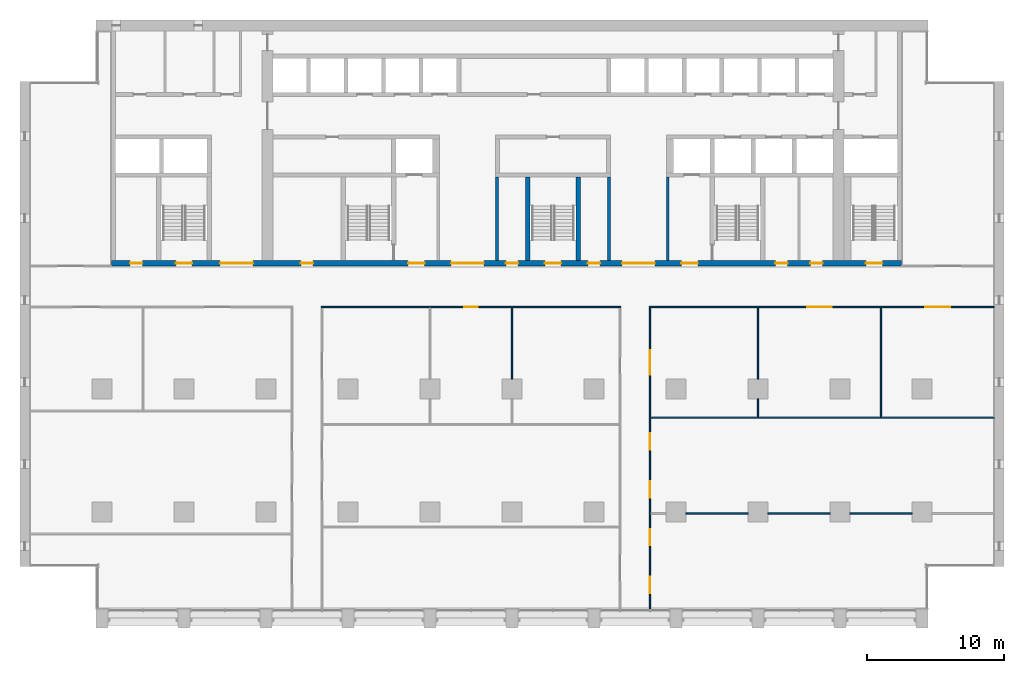
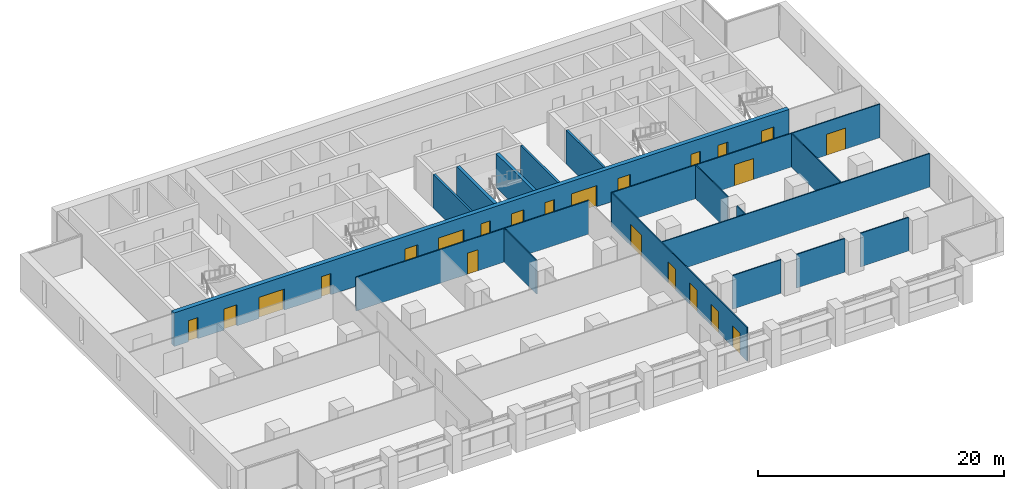
# One storey, part 9 of 17: 22 doors, 17 walls, 22 openings.
"""IFC4 building model written with IfcOpenShell, lengths in metres."""

from ifc_helpers import new_model, si_unit, direction, frame, frame_2d, origin, place, context, subcontext, project, spatial, rectangle, extrude, material, layer, layer_set, type_object, element, fill, save


model = new_model("IFC4")

# Units and contexts
model_context = context("Model", 3, precision=1e-05, world=origin(), true_north=direction((0.0, 1.0)))
body_context = subcontext(model_context, "Body", "Model", "MODEL_VIEW")
ifc_project = project(units=[si_unit("LENGTHUNIT", "METRE"), si_unit("AREAUNIT", "SQUARE_METRE"), si_unit("VOLUMEUNIT", "CUBIC_METRE"), si_unit("PLANEANGLEUNIT", "RADIAN"), si_unit("MASSUNIT", "GRAM", prefix="KILO")], contexts=[model_context])

# Site, building, storey
site_placement = place(None, origin())
site = spatial("IfcSite", under=ifc_project, at=site_placement, CompositionType="ELEMENT")
building_placement = place(site_placement, origin())
building = spatial("IfcBuilding", under=site, at=building_placement, Name="Calvaro Tower", CompositionType="ELEMENT")
storey_placement = place(building_placement, frame((0.0, 0.0, 98.75)))
storey = spatial("IfcBuildingStorey", under=building, at=storey_placement, Name="L24", CompositionType="ELEMENT", Elevation=98.75)

# Walls
ifc_material_1 = material(Name="Blockwork partition", Category="masonry")
ifc_layer_1 = layer(ifc_material_1, 0.199951171875)
ifc_layer_set_1 = layer_set([ifc_layer_1], Name="Blockwork partition")
wall_type_1 = type_object("IfcWallType", Name="Core partition 200 REI 120", PredefinedType="PARTITIONING", material=ifc_layer_set_1)
for number, where, z_axis, x_axis, name in (
    (1, (34.89990234375, 28.39990234375, 0.0), (0.0, 0.0, 1.0), (0.0, 1.0, 0.0), "Core partition"),
    (2, (43.10009765625, 28.39990234375, 0.0), (0.0, 0.0, 1.0), (0.0, 1.0, 0.0), "Core partition"),
    (3, (47.39990234375, 28.39990234375, 0.0), (0.0, 0.0, 1.0), (0.0, 1.0, 0.0), "Core partition"),
):
    element("IfcWall", number, at=place(storey_placement, frame(where, z_axis=z_axis, x_axis=x_axis)), inside=storey, type_object=wall_type_1, Name=name, PredefinedType="PARTITIONING", context=body_context, shape_type="SweptSolid", body=[
        extrude(rectangle(XDim=6.10009765625, YDim=0.199951171875, at=frame_2d((3.050048828125, 0.0))), origin(), (0.0, 0.0, 1.0), 3.35009765625),
    ])
ifc_material_2 = material(Name="Concrete C60/75", Category="concrete")
ifc_layer_2 = layer(ifc_material_2, 0.300048828125)
ifc_layer_set_2 = layer_set([ifc_layer_2], Name="Concrete C60/75")
wall_type_2 = type_object("IfcWallType", Name="Core wall C60/75 300", PredefinedType="SHEAR", material=ifc_layer_set_2)
for number, where, z_axis, x_axis, name in (
    (4, (37.14990234375, 28.39990234375, 0.0), (0.0, 0.0, 1.0), (0.0, 1.0, 0.0), "Core wall, stair enclosure"),
    (5, (40.85009765625, 28.39990234375, 0.0), (0.0, 0.0, 1.0), (0.0, 1.0, 0.0), "Core wall, stair enclosure"),
):
    element("IfcWall", number, at=place(storey_placement, frame(where, z_axis=z_axis, x_axis=x_axis)), inside=storey, type_object=wall_type_2, Name=name, PredefinedType="SHEAR", context=body_context, shape_type="SweptSolid", body=[
        extrude(rectangle(XDim=6.10009765625, YDim=0.300048828125, at=frame_2d((3.050048828125, 0.0))), origin(), (0.0, 0.0, 1.0), 3.35009765625),
    ])

# Wall, openings, doors
ifc_material_3 = material(Name="Concrete C60/75", Category="concrete")
ifc_layer_3 = layer(ifc_material_3, 0.39990234375)
ifc_layer_set_3 = layer_set([ifc_layer_3], Name="Concrete C60/75")
wall_type_3 = type_object("IfcWallType", Name="Core wall C60/75 400", PredefinedType="SHEAR", material=ifc_layer_set_3)
wall_1_placement = place(storey_placement, frame((6.699951171875, 28.199951171875, 0.0), z_axis=(0.0, 0.0, 1.0), x_axis=(1.0, 0.0, 0.0)))
wall_1 = element("IfcWall", 6, at=wall_1_placement, inside=storey, type_object=wall_type_3, Name="Core wall, front", PredefinedType="SHEAR", context=body_context, shape_type="SweptSolid", body=[
    extrude(rectangle(XDim=57.800048828125, YDim=0.39990234375, at=frame_2d((28.89990234375, 0.0))), origin(), (0.0, 0.0, 1.0), 3.35009765625),
])
opening_1_placement = place(wall_1_placement, frame((13.85009765625, 0.0, 0.0)))
opening_1 = element("IfcOpeningElement", 7, at=opening_1_placement, cuts=wall_1, Name="Opening RD9E", PredefinedType="OPENING", context=body_context, shape_type="SweptSolid", body=[
    extrude(rectangle(XDim=0.89990234375, YDim=2.10009765625, at=frame_2d((0.449951171875, 1.050048828125))), frame((0.0, 0.2099609375, 0.0), z_axis=(0.0, -1.0, 0.0), x_axis=(1.0, 0.0, 0.0)), (0.0, 0.0, 1.0), 0.419921875),
])
opening_2_placement = place(wall_1_placement, frame((48.5625, 0.0, 0.0)))
opening_2 = element("IfcOpeningElement", 8, at=opening_2_placement, cuts=wall_1, Name="Opening RD9C", PredefinedType="OPENING", context=body_context, shape_type="SweptSolid", body=[
    extrude(rectangle(XDim=0.89990234375, YDim=2.10009765625, at=frame_2d((0.449951171875, 1.050048828125))), frame((0.0, 0.2099609375, 0.0), z_axis=(0.0, -1.0, 0.0), x_axis=(1.0, 0.0, 0.0)), (0.0, 0.0, 1.0), 0.419921875),
])
opening_3_placement = place(wall_1_placement, frame((51.137451171875, 0.0, 0.0)))
opening_3 = element("IfcOpeningElement", 9, at=opening_3_placement, cuts=wall_1, Name="Opening RD9C", PredefinedType="OPENING", context=body_context, shape_type="SweptSolid", body=[
    extrude(rectangle(XDim=0.89990234375, YDim=2.10009765625, at=frame_2d((0.449951171875, 1.050048828125))), frame((0.0, 0.2099609375, 0.0), z_axis=(0.0, -1.0, 0.0), x_axis=(1.0, 0.0, 0.0)), (0.0, 0.0, 1.0), 0.419921875),
])
opening_4_placement = place(wall_1_placement, frame((1.35009765625, 0.0, 0.0)))
opening_4 = element("IfcOpeningElement", 10, at=opening_4_placement, cuts=wall_1, Name="Opening RD9C", PredefinedType="OPENING", context=body_context, shape_type="SweptSolid", body=[
    extrude(rectangle(XDim=0.89990234375, YDim=2.10009765625, at=frame_2d((0.449951171875, 1.050048828125))), frame((0.0, 0.2099609375, 0.0), z_axis=(0.0, -1.0, 0.0), x_axis=(1.0, 0.0, 0.0)), (0.0, 0.0, 1.0), 0.419921875),
])
opening_5_placement = place(wall_1_placement, frame((4.699951171875, 0.0, 0.0)))
opening_5 = element("IfcOpeningElement", 11, at=opening_5_placement, cuts=wall_1, Name="Opening SD12D", PredefinedType="OPENING", context=body_context, shape_type="SweptSolid", body=[
    extrude(rectangle(XDim=1.199951171875, YDim=2.10009765625, at=frame_2d((0.60009765625, 1.050048828125))), frame((0.0, 0.2099609375, 0.0), z_axis=(0.0, -1.0, 0.0), x_axis=(1.0, 0.0, 0.0)), (0.0, 0.0, 1.0), 0.419921875),
])
opening_6_placement = place(wall_1_placement, frame((31.699951171875, 0.0, 0.0)))
opening_6 = element("IfcOpeningElement", 12, at=opening_6_placement, cuts=wall_1, Name="Opening SD12D", PredefinedType="OPENING", context=body_context, shape_type="SweptSolid", body=[
    extrude(rectangle(XDim=1.199951171875, YDim=2.10009765625, at=frame_2d((0.60009765625, 1.050048828125))), frame((0.0, 0.2099609375, 0.0), z_axis=(0.0, -1.0, 0.0), x_axis=(1.0, 0.0, 0.0)), (0.0, 0.0, 1.0), 0.419921875),
])
opening_7_placement = place(wall_1_placement, frame((55.199951171875, 0.0, 0.0)))
opening_7 = element("IfcOpeningElement", 13, at=opening_7_placement, cuts=wall_1, Name="Opening SD12D", PredefinedType="OPENING", context=body_context, shape_type="SweptSolid", body=[
    extrude(rectangle(XDim=1.199951171875, YDim=2.10009765625, at=frame_2d((0.60009765625, 1.050048828125))), frame((0.0, 0.2099609375, 0.0), z_axis=(0.0, -1.0, 0.0), x_axis=(1.0, 0.0, 0.0)), (0.0, 0.0, 1.0), 0.419921875),
])
opening_8_placement = place(wall_1_placement, frame((21.699951171875, 0.0, 0.0)))
opening_8 = element("IfcOpeningElement", 14, at=opening_8_placement, cuts=wall_1, Name="Opening FD12F", PredefinedType="OPENING", context=body_context, shape_type="SweptSolid", body=[
    extrude(rectangle(XDim=1.199951171875, YDim=2.10009765625, at=frame_2d((0.60009765625, 1.050048828125))), frame((0.0, 0.2099609375, 0.0), z_axis=(0.0, -1.0, 0.0), x_axis=(1.0, 0.0, 0.0)), (0.0, 0.0, 1.0), 0.419921875),
])
opening_9_placement = place(wall_1_placement, frame((41.699951171875, 0.0, 0.0)))
opening_9 = element("IfcOpeningElement", 15, at=opening_9_placement, cuts=wall_1, Name="Opening FD12F", PredefinedType="OPENING", context=body_context, shape_type="SweptSolid", body=[
    extrude(rectangle(XDim=1.199951171875, YDim=2.10009765625, at=frame_2d((0.60009765625, 1.050048828125))), frame((0.0, 0.2099609375, 0.0), z_axis=(0.0, -1.0, 0.0), x_axis=(1.0, 0.0, 0.0)), (0.0, 0.0, 1.0), 0.419921875),
])
opening_10_placement = place(wall_1_placement, frame((24.85009765625, 0.0, 0.0)))
opening_10 = element("IfcOpeningElement", 16, at=opening_10_placement, cuts=wall_1, Name="Opening DD24D", PredefinedType="OPENING", context=body_context, shape_type="SweptSolid", body=[
    extrude(rectangle(XDim=2.39990234375, YDim=2.10009765625, at=frame_2d((1.199951171875, 1.050048828125))), frame((0.0, 0.2099609375, 0.0), z_axis=(0.0, -1.0, 0.0), x_axis=(1.0, 0.0, 0.0)), (0.0, 0.0, 1.0), 0.419921875),
])
opening_11_placement = place(wall_1_placement, frame((37.35009765625, 0.0, 0.0)))
opening_11 = element("IfcOpeningElement", 17, at=opening_11_placement, cuts=wall_1, Name="Opening DD24D", PredefinedType="OPENING", context=body_context, shape_type="SweptSolid", body=[
    extrude(rectangle(XDim=2.39990234375, YDim=2.10009765625, at=frame_2d((1.199951171875, 1.050048828125))), frame((0.0, 0.2099609375, 0.0), z_axis=(0.0, -1.0, 0.0), x_axis=(1.0, 0.0, 0.0)), (0.0, 0.0, 1.0), 0.419921875),
])
opening_12_placement = place(wall_1_placement, frame((7.949951171875, 0.0, 0.0)))
opening_12 = element("IfcOpeningElement", 18, at=opening_12_placement, cuts=wall_1, Name="Opening DD24D", PredefinedType="OPENING", context=body_context, shape_type="SweptSolid", body=[
    extrude(rectangle(XDim=2.39990234375, YDim=2.10009765625, at=frame_2d((1.199951171875, 1.050048828125))), frame((0.0, 0.2099609375, 0.0), z_axis=(0.0, -1.0, 0.0), x_axis=(1.0, 0.0, 0.0)), (0.0, 0.0, 1.0), 0.419921875),
])
opening_13_placement = place(wall_1_placement, frame((28.85009765625, 0.0, 0.0)))
opening_13 = element("IfcOpeningElement", 19, at=opening_13_placement, cuts=wall_1, Name="Opening RD9E", PredefinedType="OPENING", context=body_context, shape_type="SweptSolid", body=[
    extrude(rectangle(XDim=0.89990234375, YDim=2.10009765625, at=frame_2d((0.449951171875, 1.050048828125))), frame((0.0, 0.2099609375, 0.0), z_axis=(0.0, -1.0, 0.0), x_axis=(1.0, 0.0, 0.0)), (0.0, 0.0, 1.0), 0.419921875),
])
opening_14_placement = place(wall_1_placement, frame((34.85009765625, 0.0, 0.0)))
opening_14 = element("IfcOpeningElement", 20, at=opening_14_placement, cuts=wall_1, Name="Opening RD9E", PredefinedType="OPENING", context=body_context, shape_type="SweptSolid", body=[
    extrude(rectangle(XDim=0.89990234375, YDim=2.10009765625, at=frame_2d((0.449951171875, 1.050048828125))), frame((0.0, 0.2099609375, 0.0), z_axis=(0.0, -1.0, 0.0), x_axis=(1.0, 0.0, 0.0)), (0.0, 0.0, 1.0), 0.419921875),
])
ifc_material_4 = material(Name="Steel door set", Category="steel")
door_type_1 = type_object("IfcDoorType", Name="Fire door 1200 FD60S", OperationType="SINGLE_SWING_LEFT", PredefinedType="DOOR", material=ifc_material_4)
door_1_placement = place(opening_8_placement, origin())
door_1 = element("IfcDoor", 21, at=door_1_placement, inside=storey, type_object=door_type_1, Name="Fire door", OperationType="SINGLE_SWING_LEFT", OverallHeight=2.10009765625, OverallWidth=1.199951171875, PredefinedType="DOOR", context=body_context, shape_type="SweptSolid", body=[
    extrude(rectangle(XDim=1.199951171875, YDim=2.10009765625, at=frame_2d((0.60009765625, 1.050048828125))), frame((0.0, 0.02490234375, 0.0), z_axis=(0.0, -1.0, 0.0), x_axis=(1.0, 0.0, 0.0)), (0.0, 0.0, 1.0), 0.050048828125),
])
fill(opening_8, door_1)
door_2_placement = place(opening_9_placement, origin())
door_2 = element("IfcDoor", 22, at=door_2_placement, inside=storey, type_object=door_type_1, Name="Fire door", OperationType="SINGLE_SWING_LEFT", OverallHeight=2.10009765625, OverallWidth=1.199951171875, PredefinedType="DOOR", context=body_context, shape_type="SweptSolid", body=[
    extrude(rectangle(XDim=1.199951171875, YDim=2.10009765625, at=frame_2d((0.60009765625, 1.050048828125))), frame((0.0, 0.02490234375, 0.0), z_axis=(0.0, -1.0, 0.0), x_axis=(1.0, 0.0, 0.0)), (0.0, 0.0, 1.0), 0.050048828125),
])
fill(opening_9, door_2)
ifc_material_5 = material(Name="Steel door set", Category="steel")
door_type_2 = type_object("IfcDoorType", Name="Lobby double door 2400 FD30S", OperationType="DOUBLE_DOOR_SINGLE_SWING", PredefinedType="DOOR", material=ifc_material_5)
door_3_placement = place(opening_10_placement, origin())
door_3 = element("IfcDoor", 23, at=door_3_placement, inside=storey, type_object=door_type_2, Name="Lobby double door", OperationType="DOUBLE_DOOR_SINGLE_SWING", OverallHeight=2.10009765625, OverallWidth=2.39990234375, PredefinedType="DOOR", context=body_context, shape_type="SweptSolid", body=[
    extrude(rectangle(XDim=2.39990234375, YDim=2.10009765625, at=frame_2d((1.199951171875, 1.050048828125))), frame((0.0, 0.02490234375, 0.0), z_axis=(0.0, -1.0, 0.0), x_axis=(1.0, 0.0, 0.0)), (0.0, 0.0, 1.0), 0.050048828125),
])
fill(opening_10, door_3)
door_4_placement = place(opening_11_placement, origin())
door_4 = element("IfcDoor", 24, at=door_4_placement, inside=storey, type_object=door_type_2, Name="Lobby double door", OperationType="DOUBLE_DOOR_SINGLE_SWING", OverallHeight=2.10009765625, OverallWidth=2.39990234375, PredefinedType="DOOR", context=body_context, shape_type="SweptSolid", body=[
    extrude(rectangle(XDim=2.39990234375, YDim=2.10009765625, at=frame_2d((1.199951171875, 1.050048828125))), frame((0.0, 0.02490234375, 0.0), z_axis=(0.0, -1.0, 0.0), x_axis=(1.0, 0.0, 0.0)), (0.0, 0.0, 1.0), 0.050048828125),
])
fill(opening_11, door_4)
door_5_placement = place(opening_12_placement, origin())
door_5 = element("IfcDoor", 25, at=door_5_placement, inside=storey, type_object=door_type_2, Name="Lobby double door", OperationType="DOUBLE_DOOR_SINGLE_SWING", OverallHeight=2.10009765625, OverallWidth=2.39990234375, PredefinedType="DOOR", context=body_context, shape_type="SweptSolid", body=[
    extrude(rectangle(XDim=2.39990234375, YDim=2.10009765625, at=frame_2d((1.199951171875, 1.050048828125))), frame((0.0, 0.02490234375, 0.0), z_axis=(0.0, -1.0, 0.0), x_axis=(1.0, 0.0, 0.0)), (0.0, 0.0, 1.0), 0.050048828125),
])
fill(opening_12, door_5)
ifc_material_6 = material(Name="Steel door set", Category="steel")
door_type_3 = type_object("IfcDoorType", Name="Room door 900 FD30", OperationType="SINGLE_SWING_LEFT", PredefinedType="DOOR", material=ifc_material_6)
door_6_placement = place(opening_2_placement, origin())
door_6 = element("IfcDoor", 26, at=door_6_placement, inside=storey, type_object=door_type_3, Name="Room door", OperationType="SINGLE_SWING_LEFT", OverallHeight=2.10009765625, OverallWidth=0.89990234375, PredefinedType="DOOR", context=body_context, shape_type="SweptSolid", body=[
    extrude(rectangle(XDim=0.89990234375, YDim=2.10009765625, at=frame_2d((0.449951171875, 1.050048828125))), frame((0.0, 0.02490234375, 0.0), z_axis=(0.0, -1.0, 0.0), x_axis=(1.0, 0.0, 0.0)), (0.0, 0.0, 1.0), 0.050048828125),
])
fill(opening_2, door_6)
door_7_placement = place(opening_3_placement, origin())
door_7 = element("IfcDoor", 27, at=door_7_placement, inside=storey, type_object=door_type_3, Name="Room door", OperationType="SINGLE_SWING_LEFT", OverallHeight=2.10009765625, OverallWidth=0.89990234375, PredefinedType="DOOR", context=body_context, shape_type="SweptSolid", body=[
    extrude(rectangle(XDim=0.89990234375, YDim=2.10009765625, at=frame_2d((0.449951171875, 1.050048828125))), frame((0.0, 0.02490234375, 0.0), z_axis=(0.0, -1.0, 0.0), x_axis=(1.0, 0.0, 0.0)), (0.0, 0.0, 1.0), 0.050048828125),
])
fill(opening_3, door_7)
door_8_placement = place(opening_4_placement, origin())
door_8 = element("IfcDoor", 28, at=door_8_placement, inside=storey, type_object=door_type_3, Name="Room door", OperationType="SINGLE_SWING_LEFT", OverallHeight=2.10009765625, OverallWidth=0.89990234375, PredefinedType="DOOR", context=body_context, shape_type="SweptSolid", body=[
    extrude(rectangle(XDim=0.89990234375, YDim=2.10009765625, at=frame_2d((0.449951171875, 1.050048828125))), frame((0.0, 0.02490234375, 0.0), z_axis=(0.0, -1.0, 0.0), x_axis=(1.0, 0.0, 0.0)), (0.0, 0.0, 1.0), 0.050048828125),
])
fill(opening_4, door_8)
ifc_material_7 = material(Name="Steel door set", Category="steel")
door_type_4 = type_object("IfcDoorType", Name="Room door 900 FD60", OperationType="SINGLE_SWING_LEFT", PredefinedType="DOOR", material=ifc_material_7)
door_9_placement = place(opening_1_placement, origin())
door_9 = element("IfcDoor", 29, at=door_9_placement, inside=storey, type_object=door_type_4, Name="Room door", OperationType="SINGLE_SWING_LEFT", OverallHeight=2.10009765625, OverallWidth=0.89990234375, PredefinedType="DOOR", context=body_context, shape_type="SweptSolid", body=[
    extrude(rectangle(XDim=0.89990234375, YDim=2.10009765625, at=frame_2d((0.449951171875, 1.050048828125))), frame((0.0, 0.02490234375, 0.0), z_axis=(0.0, -1.0, 0.0), x_axis=(1.0, 0.0, 0.0)), (0.0, 0.0, 1.0), 0.050048828125),
])
fill(opening_1, door_9)
door_10_placement = place(opening_13_placement, origin())
door_10 = element("IfcDoor", 30, at=door_10_placement, inside=storey, type_object=door_type_4, Name="Room door", OperationType="SINGLE_SWING_LEFT", OverallHeight=2.10009765625, OverallWidth=0.89990234375, PredefinedType="DOOR", context=body_context, shape_type="SweptSolid", body=[
    extrude(rectangle(XDim=0.89990234375, YDim=2.10009765625, at=frame_2d((0.449951171875, 1.050048828125))), frame((0.0, 0.02490234375, 0.0), z_axis=(0.0, -1.0, 0.0), x_axis=(1.0, 0.0, 0.0)), (0.0, 0.0, 1.0), 0.050048828125),
])
fill(opening_13, door_10)
door_11_placement = place(opening_14_placement, origin())
door_11 = element("IfcDoor", 31, at=door_11_placement, inside=storey, type_object=door_type_4, Name="Room door", OperationType="SINGLE_SWING_LEFT", OverallHeight=2.10009765625, OverallWidth=0.89990234375, PredefinedType="DOOR", context=body_context, shape_type="SweptSolid", body=[
    extrude(rectangle(XDim=0.89990234375, YDim=2.10009765625, at=frame_2d((0.449951171875, 1.050048828125))), frame((0.0, 0.02490234375, 0.0), z_axis=(0.0, -1.0, 0.0), x_axis=(1.0, 0.0, 0.0)), (0.0, 0.0, 1.0), 0.050048828125),
])
fill(opening_14, door_11)
ifc_material_8 = material(Name="Steel door set", Category="steel")
door_type_5 = type_object("IfcDoorType", Name="Stair door 1200 FD30S", OperationType="SINGLE_SWING_LEFT", PredefinedType="DOOR", material=ifc_material_8)
door_12_placement = place(opening_5_placement, origin())
door_12 = element("IfcDoor", 32, at=door_12_placement, inside=storey, type_object=door_type_5, Name="Stair door", OperationType="SINGLE_SWING_LEFT", OverallHeight=2.10009765625, OverallWidth=1.199951171875, PredefinedType="DOOR", context=body_context, shape_type="SweptSolid", body=[
    extrude(rectangle(XDim=1.199951171875, YDim=2.10009765625, at=frame_2d((0.60009765625, 1.050048828125))), frame((0.0, 0.02490234375, 0.0), z_axis=(0.0, -1.0, 0.0), x_axis=(1.0, 0.0, 0.0)), (0.0, 0.0, 1.0), 0.050048828125),
])
fill(opening_5, door_12)
door_13_placement = place(opening_6_placement, origin())
door_13 = element("IfcDoor", 33, at=door_13_placement, inside=storey, type_object=door_type_5, Name="Stair door", OperationType="SINGLE_SWING_LEFT", OverallHeight=2.10009765625, OverallWidth=1.199951171875, PredefinedType="DOOR", context=body_context, shape_type="SweptSolid", body=[
    extrude(rectangle(XDim=1.199951171875, YDim=2.10009765625, at=frame_2d((0.60009765625, 1.050048828125))), frame((0.0, 0.02490234375, 0.0), z_axis=(0.0, -1.0, 0.0), x_axis=(1.0, 0.0, 0.0)), (0.0, 0.0, 1.0), 0.050048828125),
])
fill(opening_6, door_13)
door_14_placement = place(opening_7_placement, origin())
door_14 = element("IfcDoor", 34, at=door_14_placement, inside=storey, type_object=door_type_5, Name="Stair door", OperationType="SINGLE_SWING_LEFT", OverallHeight=2.10009765625, OverallWidth=1.199951171875, PredefinedType="DOOR", context=body_context, shape_type="SweptSolid", body=[
    extrude(rectangle(XDim=1.199951171875, YDim=2.10009765625, at=frame_2d((0.60009765625, 1.050048828125))), frame((0.0, 0.02490234375, 0.0), z_axis=(0.0, -1.0, 0.0), x_axis=(1.0, 0.0, 0.0)), (0.0, 0.0, 1.0), 0.050048828125),
])
fill(opening_7, door_14)

# Walls
ifc_material_9 = material(Name="Plasterboard on steel studs", Category="steel")
ifc_layer_4 = layer(ifc_material_9, 0.10009765625)
ifc_layer_set_4 = layer_set([ifc_layer_4], Name="Plasterboard on steel studs")
wall_type_4 = type_object("IfcWallType", Name="Partition 100", PredefinedType="PARTITIONING", material=ifc_layer_set_4)
for number, where, z_axis, x_axis, name in (
    (35, (60.72509765625, 9.89990234375, 0.0), (0.0, 0.0, 1.0), (1.0, 0.0, 0.0), "Partition T16.W004"),
    (36, (54.72509765625, 9.89990234375, 0.0), (0.0, 0.0, 1.0), (1.0, 0.0, 0.0), "Partition T16.W005"),
    (37, (48.72509765625, 9.89990234375, 0.0), (0.0, 0.0, 1.0), (1.0, 0.0, 0.0), "Partition T16.W006"),
):
    element("IfcWall", number, at=place(storey_placement, frame(where, z_axis=z_axis, x_axis=x_axis)), inside=storey, type_object=wall_type_4, Name=name, PredefinedType="PARTITIONING", context=body_context, shape_type="SweptSolid", body=[
        extrude(rectangle(XDim=4.5498046875, YDim=0.10009765625, at=frame_2d((2.27490234375, 0.0))), origin(), (0.0, 0.0, 1.0), 3.35009765625),
    ])
wall_2_placement = place(storey_placement, frame((46.14990234375, 16.89990234375, 0.0), z_axis=(0.0, 0.0, 1.0), x_axis=(1.0, 0.0, 0.0)))
element("IfcWall", 38, at=wall_2_placement, inside=storey, type_object=wall_type_4, Name="Partition T16.W009", PredefinedType="PARTITIONING", context=body_context, shape_type="SweptSolid", body=[
    extrude(rectangle(XDim=25.150146484375, YDim=0.10009765625, at=frame_2d((12.5751953125, 0.0))), origin(), (0.0, 0.0, 1.0), 3.35009765625),
])

# Wall, opening, door
wall_3_placement = place(storey_placement, frame((22.050048828125, 25.0, 0.0), z_axis=(0.0, 0.0, 1.0), x_axis=(1.0, 0.0, 0.0)))
wall_3 = element("IfcWall", 39, at=wall_3_placement, inside=storey, type_object=wall_type_4, Name="Partition T16.W012", PredefinedType="PARTITIONING", context=body_context, shape_type="SweptSolid", body=[
    extrude(rectangle(XDim=21.89990234375, YDim=0.10009765625, at=frame_2d((10.949951171875, 0.0))), origin(), (0.0, 0.0, 1.0), 3.35009765625),
])
opening_15_placement = place(wall_3_placement, frame((10.449951171875, 0.0, 0.0)))
opening_15 = element("IfcOpeningElement", 40, at=opening_15_placement, cuts=wall_3, Name="Opening T16.012", PredefinedType="OPENING", context=body_context, shape_type="SweptSolid", body=[
    extrude(rectangle(XDim=1.0, YDim=2.10009765625, at=frame_2d((0.5, 1.050048828125))), frame((0.0, 0.06005859375, 0.0), z_axis=(0.0, -1.0, 0.0), x_axis=(1.0, 0.0, 0.0)), (0.0, 0.0, 1.0), 0.1201171875),
])
ifc_material_10 = material(Name="Timber", Category="wood")
door_type_6 = type_object("IfcDoorType", Name="Internal single door 1000 x 2100", OperationType="SINGLE_SWING_LEFT", PredefinedType="DOOR", material=ifc_material_10)
door_15_placement = place(opening_15_placement, origin())
door_15 = element("IfcDoor", 41, at=door_15_placement, inside=storey, type_object=door_type_6, Name="Door T16.012", OperationType="SINGLE_SWING_LEFT", OverallHeight=2.10009765625, OverallWidth=1.0, PredefinedType="DOOR", context=body_context, shape_type="SweptSolid", body=[
    extrude(rectangle(XDim=1.0, YDim=2.10009765625, at=frame_2d((0.5, 1.050048828125))), frame((0.0, 0.02490234375, 0.0), z_axis=(0.0, -1.0, 0.0), x_axis=(1.0, 0.0, 0.0)), (0.0, 0.0, 1.0), 0.050048828125),
])
fill(opening_15, door_15)

# Wall, openings, doors
wall_4_placement = place(storey_placement, frame((46.050048828125, 25.0, 0.0), z_axis=(0.0, 0.0, 1.0), x_axis=(1.0, 0.0, 0.0)))
wall_4 = element("IfcWall", 42, at=wall_4_placement, inside=storey, type_object=wall_type_4, Name="Partition T16.W013", PredefinedType="PARTITIONING", context=body_context, shape_type="SweptSolid", body=[
    extrude(rectangle(XDim=25.25, YDim=0.10009765625, at=frame_2d((12.625, 0.0))), origin(), (0.0, 0.0, 1.0), 3.35009765625),
])
opening_16_placement = place(wall_4_placement, frame((11.550048828125, 0.0, 0.0)))
opening_16 = element("IfcOpeningElement", 43, at=opening_16_placement, cuts=wall_4, Name="Opening T16.015", PredefinedType="OPENING", context=body_context, shape_type="SweptSolid", body=[
    extrude(rectangle(XDim=1.800048828125, YDim=2.10009765625, at=frame_2d((0.89990234375, 1.050048828125))), frame((0.0, 0.06005859375, 0.0), z_axis=(0.0, -1.0, 0.0), x_axis=(1.0, 0.0, 0.0)), (0.0, 0.0, 1.0), 0.1201171875),
])
opening_17_placement = place(wall_4_placement, frame((20.199951171875, 0.0, 0.0)))
opening_17 = element("IfcOpeningElement", 44, at=opening_17_placement, cuts=wall_4, Name="Opening T16.016", PredefinedType="OPENING", context=body_context, shape_type="SweptSolid", body=[
    extrude(rectangle(XDim=1.800048828125, YDim=2.10009765625, at=frame_2d((0.89990234375, 1.050048828125))), frame((0.0, 0.06005859375, 0.0), z_axis=(0.0, -1.0, 0.0), x_axis=(1.0, 0.0, 0.0)), (0.0, 0.0, 1.0), 0.1201171875),
])
ifc_material_11 = material(Name="Timber", Category="wood")
door_type_7 = type_object("IfcDoorType", Name="Internal double door 1800 x 2100", OperationType="DOUBLE_DOOR_SINGLE_SWING", PredefinedType="DOOR", material=ifc_material_11)
door_16_placement = place(opening_16_placement, origin())
door_16 = element("IfcDoor", 45, at=door_16_placement, inside=storey, type_object=door_type_7, Name="Door T16.015", OperationType="DOUBLE_DOOR_SINGLE_SWING", OverallHeight=2.10009765625, OverallWidth=1.800048828125, PredefinedType="DOOR", context=body_context, shape_type="SweptSolid", body=[
    extrude(rectangle(XDim=1.800048828125, YDim=2.10009765625, at=frame_2d((0.89990234375, 1.050048828125))), frame((0.0, 0.02490234375, 0.0), z_axis=(0.0, -1.0, 0.0), x_axis=(1.0, 0.0, 0.0)), (0.0, 0.0, 1.0), 0.050048828125),
])
fill(opening_16, door_16)
door_17_placement = place(opening_17_placement, origin())
door_17 = element("IfcDoor", 46, at=door_17_placement, inside=storey, type_object=door_type_7, Name="Door T16.016", OperationType="DOUBLE_DOOR_SINGLE_SWING", OverallHeight=2.10009765625, OverallWidth=1.800048828125, PredefinedType="DOOR", context=body_context, shape_type="SweptSolid", body=[
    extrude(rectangle(XDim=1.800048828125, YDim=2.10009765625, at=frame_2d((0.89990234375, 1.050048828125))), frame((0.0, 0.02490234375, 0.0), z_axis=(0.0, -1.0, 0.0), x_axis=(1.0, 0.0, 0.0)), (0.0, 0.0, 1.0), 0.050048828125),
])
fill(opening_17, door_17)

wall_5_placement = place(storey_placement, frame((46.10009765625, 2.89990234375, 0.0), z_axis=(0.0, 0.0, 1.0), x_axis=(0.0, 1.0, 0.0)))
wall_5 = element("IfcWall", 47, at=wall_5_placement, inside=storey, type_object=wall_type_4, Name="Partition T16.W024", PredefinedType="PARTITIONING", context=body_context, shape_type="SweptSolid", body=[
    extrude(rectangle(XDim=22.050048828125, YDim=0.10009765625, at=frame_2d((11.02490234375, 0.0))), origin(), (0.0, 0.0, 1.0), 3.35009765625),
])
opening_18_placement = place(wall_5_placement, frame((1.14990234375, 0.0, 0.0)))
opening_18 = element("IfcOpeningElement", 48, at=opening_18_placement, cuts=wall_5, Name="Opening T16.003", PredefinedType="OPENING", context=body_context, shape_type="SweptSolid", body=[
    extrude(rectangle(XDim=1.199951171875, YDim=2.10009765625, at=frame_2d((0.60009765625, 1.050048828125))), frame((0.0, 0.06005859375, 0.0), z_axis=(0.0, -1.0, 0.0), x_axis=(1.0, 0.0, 0.0)), (0.0, 0.0, 1.0), 0.1201171875),
])
opening_19_placement = place(wall_5_placement, frame((4.64990234375, 0.0, 0.0)))
opening_19 = element("IfcOpeningElement", 49, at=opening_19_placement, cuts=wall_5, Name="Opening T16.004", PredefinedType="OPENING", context=body_context, shape_type="SweptSolid", body=[
    extrude(rectangle(XDim=1.199951171875, YDim=2.10009765625, at=frame_2d((0.60009765625, 1.050048828125))), frame((0.0, 0.06005859375, 0.0), z_axis=(0.0, -1.0, 0.0), x_axis=(1.0, 0.0, 0.0)), (0.0, 0.0, 1.0), 0.1201171875),
])
opening_20_placement = place(wall_5_placement, frame((8.14990234375, 0.0, 0.0)))
opening_20 = element("IfcOpeningElement", 50, at=opening_20_placement, cuts=wall_5, Name="Opening T16.009", PredefinedType="OPENING", context=body_context, shape_type="SweptSolid", body=[
    extrude(rectangle(XDim=1.199951171875, YDim=2.10009765625, at=frame_2d((0.60009765625, 1.050048828125))), frame((0.0, 0.06005859375, 0.0), z_axis=(0.0, -1.0, 0.0), x_axis=(1.0, 0.0, 0.0)), (0.0, 0.0, 1.0), 0.1201171875),
])
opening_21_placement = place(wall_5_placement, frame((11.64990234375, 0.0, 0.0)))
opening_21 = element("IfcOpeningElement", 51, at=opening_21_placement, cuts=wall_5, Name="Opening T16.010", PredefinedType="OPENING", context=body_context, shape_type="SweptSolid", body=[
    extrude(rectangle(XDim=1.199951171875, YDim=2.10009765625, at=frame_2d((0.60009765625, 1.050048828125))), frame((0.0, 0.06005859375, 0.0), z_axis=(0.0, -1.0, 0.0), x_axis=(1.0, 0.0, 0.0)), (0.0, 0.0, 1.0), 0.1201171875),
])
opening_22_placement = place(wall_5_placement, frame((17.14990234375, 0.0, 0.0)))
opening_22 = element("IfcOpeningElement", 52, at=opening_22_placement, cuts=wall_5, Name="Opening T16.014", PredefinedType="OPENING", context=body_context, shape_type="SweptSolid", body=[
    extrude(rectangle(XDim=1.800048828125, YDim=2.10009765625, at=frame_2d((0.89990234375, 1.050048828125))), frame((0.0, 0.06005859375, 0.0), z_axis=(0.0, -1.0, 0.0), x_axis=(1.0, 0.0, 0.0)), (0.0, 0.0, 1.0), 0.1201171875),
])
door_18_placement = place(opening_22_placement, origin())
door_18 = element("IfcDoor", 53, at=door_18_placement, inside=storey, type_object=door_type_7, Name="Door T16.014", OperationType="DOUBLE_DOOR_SINGLE_SWING", OverallHeight=2.10009765625, OverallWidth=1.800048828125, PredefinedType="DOOR", context=body_context, shape_type="SweptSolid", body=[
    extrude(rectangle(XDim=1.800048828125, YDim=2.10009765625, at=frame_2d((0.89990234375, 1.050048828125))), frame((0.0, 0.02490234375, 0.0), z_axis=(0.0, -1.0, 0.0), x_axis=(1.0, 0.0, 0.0)), (0.0, 0.0, 1.0), 0.050048828125),
])
fill(opening_22, door_18)
ifc_material_12 = material(Name="Timber", Category="wood")
door_type_8 = type_object("IfcDoorType", Name="Internal single door 1200 x 2100", OperationType="SINGLE_SWING_LEFT", PredefinedType="DOOR", material=ifc_material_12)
door_19_placement = place(opening_18_placement, origin())
door_19 = element("IfcDoor", 54, at=door_19_placement, inside=storey, type_object=door_type_8, Name="Door T16.003", OperationType="SINGLE_SWING_LEFT", OverallHeight=2.10009765625, OverallWidth=1.199951171875, PredefinedType="DOOR", context=body_context, shape_type="SweptSolid", body=[
    extrude(rectangle(XDim=1.199951171875, YDim=2.10009765625, at=frame_2d((0.60009765625, 1.050048828125))), frame((0.0, 0.02490234375, 0.0), z_axis=(0.0, -1.0, 0.0), x_axis=(1.0, 0.0, 0.0)), (0.0, 0.0, 1.0), 0.050048828125),
])
fill(opening_18, door_19)
door_20_placement = place(opening_19_placement, origin())
door_20 = element("IfcDoor", 55, at=door_20_placement, inside=storey, type_object=door_type_8, Name="Door T16.004", OperationType="SINGLE_SWING_LEFT", OverallHeight=2.10009765625, OverallWidth=1.199951171875, PredefinedType="DOOR", context=body_context, shape_type="SweptSolid", body=[
    extrude(rectangle(XDim=1.199951171875, YDim=2.10009765625, at=frame_2d((0.60009765625, 1.050048828125))), frame((0.0, 0.02490234375, 0.0), z_axis=(0.0, -1.0, 0.0), x_axis=(1.0, 0.0, 0.0)), (0.0, 0.0, 1.0), 0.050048828125),
])
fill(opening_19, door_20)
door_21_placement = place(opening_20_placement, origin())
door_21 = element("IfcDoor", 56, at=door_21_placement, inside=storey, type_object=door_type_8, Name="Door T16.009", OperationType="SINGLE_SWING_LEFT", OverallHeight=2.10009765625, OverallWidth=1.199951171875, PredefinedType="DOOR", context=body_context, shape_type="SweptSolid", body=[
    extrude(rectangle(XDim=1.199951171875, YDim=2.10009765625, at=frame_2d((0.60009765625, 1.050048828125))), frame((0.0, 0.02490234375, 0.0), z_axis=(0.0, -1.0, 0.0), x_axis=(1.0, 0.0, 0.0)), (0.0, 0.0, 1.0), 0.050048828125),
])
fill(opening_20, door_21)
door_22_placement = place(opening_21_placement, origin())
door_22 = element("IfcDoor", 57, at=door_22_placement, inside=storey, type_object=door_type_8, Name="Door T16.010", OperationType="SINGLE_SWING_RIGHT", OverallHeight=2.10009765625, OverallWidth=1.199951171875, PredefinedType="DOOR", context=body_context, shape_type="SweptSolid", body=[
    extrude(rectangle(XDim=1.199951171875, YDim=2.10009765625, at=frame_2d((0.60009765625, 1.050048828125))), frame((0.0, 0.02490234375, 0.0), z_axis=(0.0, -1.0, 0.0), x_axis=(1.0, 0.0, 0.0)), (0.0, 0.0, 1.0), 0.050048828125),
])
fill(opening_21, door_22)

# Walls
wall_6_placement = place(storey_placement, frame((54.0, 16.949951171875, 0.0), z_axis=(0.0, 0.0, 1.0), x_axis=(0.0, 1.0, 0.0)))
element("IfcWall", 58, at=wall_6_placement, inside=storey, type_object=wall_type_4, Name="Partition T16.W025", PredefinedType="PARTITIONING", context=body_context, shape_type="SweptSolid", body=[
    extrude(rectangle(XDim=1.324951171875, YDim=0.10009765625, at=frame_2d((0.66259765625, 0.0))), origin(), (0.0, 0.0, 1.0), 3.35009765625),
])
wall_7_placement = place(storey_placement, frame((54.0, 19.72509765625, 0.0), z_axis=(0.0, 0.0, 1.0), x_axis=(0.0, 1.0, 0.0)))
element("IfcWall", 59, at=wall_7_placement, inside=storey, type_object=wall_type_4, Name="Partition T16.W026", PredefinedType="PARTITIONING", context=body_context, shape_type="SweptSolid", body=[
    extrude(rectangle(XDim=5.224853515625, YDim=0.10009765625, at=frame_2d((2.6123046875, 0.0))), origin(), (0.0, 0.0, 1.0), 3.35009765625),
])
wall_8_placement = place(storey_placement, frame((63.0, 16.949951171875, 0.0), z_axis=(0.0, 0.0, 1.0), x_axis=(0.0, 1.0, 0.0)))
element("IfcWall", 60, at=wall_8_placement, inside=storey, type_object=wall_type_4, Name="Partition T16.W027", PredefinedType="PARTITIONING", context=body_context, shape_type="SweptSolid", body=[
    extrude(rectangle(XDim=8.0, YDim=0.10009765625, at=frame_2d((4.0, 0.0))), origin(), (0.0, 0.0, 1.0), 3.35009765625),
])
ifc_material_13 = material(Name="Plasterboard on steel studs", Category="steel")
ifc_layer_5 = layer(ifc_material_13, 0.10009765625)
ifc_layer_set_5 = layer_set([ifc_layer_5], Name="Plasterboard on steel studs")
wall_type_5 = type_object("IfcWallType", Name="Partition 100 REI 120", PredefinedType="PARTITIONING", material=ifc_layer_set_5)
wall_9_placement = place(storey_placement, frame((36.0, 19.72509765625, 0.0), z_axis=(0.0, 0.0, 1.0), x_axis=(0.0, 1.0, 0.0)))
element("IfcWall", 61, at=wall_9_placement, inside=storey, type_object=wall_type_5, Name="Partition T16.W022", PredefinedType="PARTITIONING", context=body_context, shape_type="SweptSolid", body=[
    extrude(rectangle(XDim=5.224853515625, YDim=0.10009765625, at=frame_2d((2.6123046875, 0.0))), origin(), (0.0, 0.0, 1.0), 3.35009765625),
])

save(model, "model.ifc")
